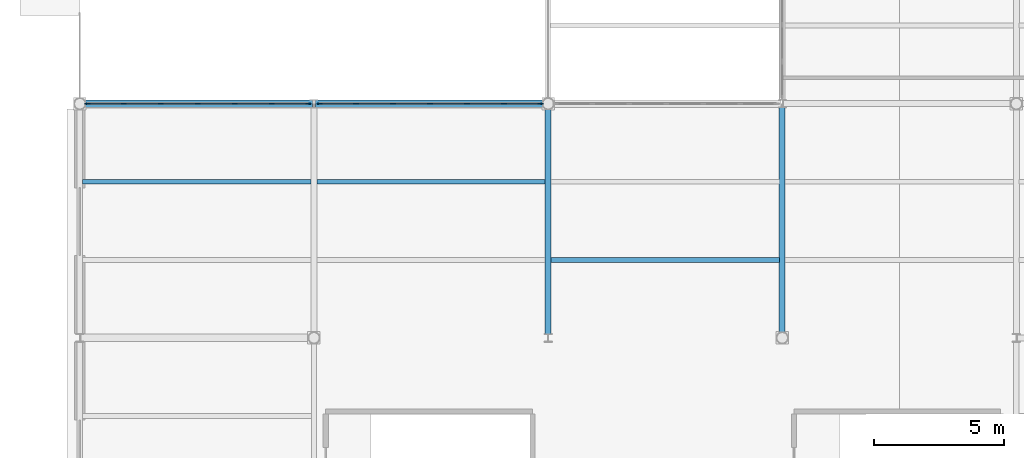
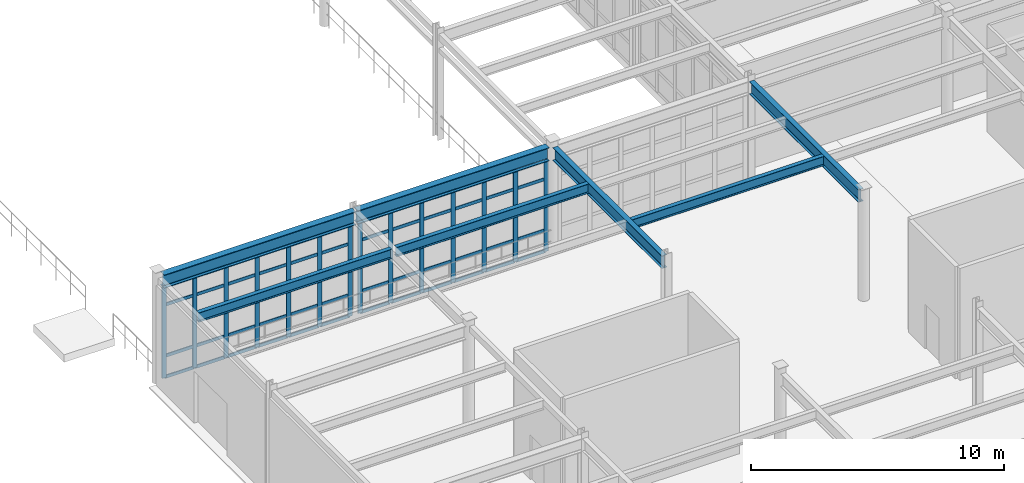
# One storey, part 25 of 79: 61 members, 7 beams, 2 elements without a shape of their own.
"""IFC4 building model written with IfcOpenShell, lengths in metres."""

from ifc_helpers import new_model, si_unit, direction, frame, origin, origin_2d, place, context, subcontext, project, spatial, rectangle, i_section, extrude, material, material_profile, profile_set, type_object, element, aggregate, save


model = new_model("IFC4")

# Units and contexts
model_context = context("Model", 3, precision=1e-05, world=origin(), true_north=direction((0.0, 1.0)))
body_context = subcontext(model_context, "Body", "Model", "MODEL_VIEW")
ifc_project = project(units=[si_unit("LENGTHUNIT", "METRE"), si_unit("AREAUNIT", "SQUARE_METRE"), si_unit("VOLUMEUNIT", "CUBIC_METRE"), si_unit("PLANEANGLEUNIT", "RADIAN"), si_unit("MASSUNIT", "GRAM", prefix="KILO")], contexts=[model_context])

# Site, building, storey
site_placement = place(None, origin())
site = spatial("IfcSite", under=ifc_project, at=site_placement, CompositionType="ELEMENT")
building_placement = place(site_placement, origin())
building = spatial("IfcBuilding", under=site, at=building_placement, Name="Glasvene Arena", CompositionType="ELEMENT")
storey_placement = place(building_placement, origin())
storey = spatial("IfcBuildingStorey", under=building, at=storey_placement, Name="L00", CompositionType="ELEMENT", Elevation=0.0)

# Beams
ifc_material_1 = material(Name="Steel S355J2", Category="steel")
ifc_material_profile_1 = material_profile(ifc_material_1, i_section(OverallWidth=0.300048828125, OverallDepth=0.64990234375, WebThickness=0.01611328125, FlangeThickness=0.031005859375, FilletRadius=0.027099609375, at=origin_2d()), Name="HEB 650")
ifc_profile_set_1 = profile_set([ifc_material_profile_1], Name="Steel S355J2")
beam_type_1 = type_object("IfcBeamType", Name="BM-FOYER-CANT", PredefinedType="BEAM", material=ifc_profile_set_1)
for number, where, z_axis, x_axis, name in (
    (1, (0.223388671875, 27.0, 4.794921875), (1.0, 0.0, 0.0), (0.0, 1.0, 0.0), "Primary X girder L00-0292"),
    (2, (9.050048828125, 27.0, 4.794921875), (1.0, 0.0, 0.0), (0.0, 1.0, 0.0), "Primary X girder L00-0293"),
):
    element("IfcBeam", number, at=place(storey_placement, frame(where, z_axis=z_axis, x_axis=x_axis)), inside=storey, type_object=beam_type_1, Name=name, PredefinedType="BEAM", context=body_context, shape_type="SweptSolid", body=[
        extrude(i_section(OverallWidth=0.300048828125, OverallDepth=0.64990234375, WebThickness=0.01611328125, FlangeThickness=0.031005859375, FilletRadius=0.027099609375, at=origin_2d()), origin(), (0.0, 0.0, 1.0), 8.7265625),
    ])
ifc_material_profile_2 = material_profile(ifc_material_1, i_section(OverallWidth=0.228271484375, OverallDepth=0.607666015625, WebThickness=0.010986328125, FlangeThickness=0.017333984375, FilletRadius=0.0126953125, at=origin_2d()), Name="UKB 610x229x113")
ifc_profile_set_2 = profile_set([ifc_material_profile_2], Name="Steel S355J2")
beam_type_2 = type_object("IfcBeamType", Name="BM-GIRD-610", PredefinedType="BEAM", material=ifc_profile_set_2)
for number, where, z_axis, x_axis, name in (
    (3, (18.0, 18.1552734375, 4.816162109375), (0.0, 1.0, 0.0), (-1.0, 0.0, 0.0), "Primary Y girder L00-0369"),
    (4, (27.0, 18.223388671875, 4.816162109375), (0.0, 1.0, 0.0), (-1.0, 0.0, 0.0), "Primary Y girder L00-0377"),
):
    element("IfcBeam", number, at=place(storey_placement, frame(where, z_axis=z_axis, x_axis=x_axis)), inside=storey, type_object=beam_type_2, Name=name, PredefinedType="BEAM", context=body_context, shape_type="SweptSolid", body=[
        extrude(i_section(OverallWidth=0.228271484375, OverallDepth=0.607666015625, WebThickness=0.010986328125, FlangeThickness=0.017333984375, FilletRadius=0.0126953125, at=origin_2d()), origin(), (0.0, 0.0, 1.0), 8.621337890625),
    ])
ifc_material_profile_3 = material_profile(ifc_material_1, i_section(OverallWidth=0.1904296875, OverallDepth=0.45703125, WebThickness=0.009033203125, FlangeThickness=0.014404296875, FilletRadius=0.01025390625, at=origin_2d()), Name="UKB 457x191x74")
ifc_profile_set_3 = profile_set([ifc_material_profile_3], Name="Steel S355J2")
beam_type_3 = type_object("IfcBeamType", Name="BM-JOIST-457", PredefinedType="JOIST", material=ifc_profile_set_3)
beam_placement = place(storey_placement, frame((0.095947265625, 24.0, 4.8916015625), z_axis=(1.0, 0.0, 0.0), x_axis=(0.0, 1.0, 0.0)))
element("IfcBeam", 5, at=beam_placement, inside=storey, type_object=beam_type_3, Name="Composite floor joist L00-0429", PredefinedType="JOIST", context=body_context, shape_type="SweptSolid", body=[
    extrude(i_section(OverallWidth=0.1904296875, OverallDepth=0.45703125, WebThickness=0.009033203125, FlangeThickness=0.014404296875, FilletRadius=0.01025390625, at=origin_2d()), origin(), (0.0, 0.0, 1.0), 8.7939453125),
])
for number, where, z_axis, x_axis, name in (
    (6, (9.110107421875, 24.0, 4.8916015625), (1.0, 0.0, 0.0), (0.0, 1.0, 0.0), "Composite floor joist L00-0439"),
    (7, (18.110107421875, 21.0, 4.8916015625), (1.0, 0.0, 0.0), (0.0, 1.0, 0.0), "Composite floor joist L00-0446"),
):
    element("IfcBeam", number, at=place(storey_placement, frame(where, z_axis=z_axis, x_axis=x_axis)), inside=storey, type_object=beam_type_3, Name=name, PredefinedType="JOIST", context=body_context, shape_type="SweptSolid", body=[
        extrude(i_section(OverallWidth=0.1904296875, OverallDepth=0.45703125, WebThickness=0.009033203125, FlangeThickness=0.014404296875, FilletRadius=0.01025390625, at=origin_2d()), origin(), (0.0, 0.0, 1.0), 8.77978515625),
    ])

# Curtain wall, members
ifc_material_2 = material(Name="Low-emissivity laminated double glazing", Category="glass")
curtain_wall_type = type_object("IfcCurtainWallType", Name="CW-FAC-L00-853x440", PredefinedType="USERDEFINED", material=ifc_material_2)
curtain_wall_1_placement = place(storey_placement, frame((0.2705078125, 27.0, 0.0)))
curtain_wall_1 = element("IfcCurtainWall", 8, at=curtain_wall_1_placement, inside=storey, type_object=curtain_wall_type, Name="Unitised curtain wall CW-F-L00-180-45-270-78", ObjectType="CURTAIN WALL", PredefinedType="USERDEFINED")
ifc_material_3 = material(Name="Anodised architectural aluminium", Category="aluminium")
ifc_material_profile_4 = material_profile(ifc_material_3, rectangle(XDim=0.050048828125, YDim=0.199951171875, at=origin_2d()), Name="ALU MULLION 50x200")
ifc_profile_set_4 = profile_set([ifc_material_profile_4], Name="Anodised architectural aluminium")
member_type_1 = type_object("IfcMemberType", Name="CW-MUL-180", PredefinedType="MULLION", material=ifc_profile_set_4)
member_1_placement = place(storey_placement, frame((0.29541015625, 27.0, 0.06005859375), z_axis=(0.0, 0.0, 1.0), x_axis=(0.0, 1.0, 0.0)))
member_1 = element("IfcMember", 9, at=member_1_placement, type_object=member_type_1, Name="CW-003 mullion 1", PredefinedType="MULLION", context=body_context, shape_type="SweptSolid", body=[
    extrude(rectangle(XDim=0.050048828125, YDim=0.199951171875, at=origin_2d()), origin(), (0.0, 0.0, 1.0), 4.405029296875),
])
member_2_placement = place(storey_placement, frame((1.692626953125, 27.0, 0.06005859375), z_axis=(0.0, 0.0, 1.0), x_axis=(0.0, 1.0, 0.0)))
member_2 = element("IfcMember", 10, at=member_2_placement, type_object=member_type_1, Name="CW-003 mullion 2", PredefinedType="MULLION", context=body_context, shape_type="SweptSolid", body=[
    extrude(rectangle(XDim=0.050048828125, YDim=0.199951171875, at=origin_2d()), origin(), (0.0, 0.0, 1.0), 4.405029296875),
])
member_3_placement = place(storey_placement, frame((3.11474609375, 27.0, 0.06005859375), z_axis=(0.0, 0.0, 1.0), x_axis=(0.0, 1.0, 0.0)))
member_3 = element("IfcMember", 11, at=member_3_placement, type_object=member_type_1, Name="CW-003 mullion 3", PredefinedType="MULLION", context=body_context, shape_type="SweptSolid", body=[
    extrude(rectangle(XDim=0.050048828125, YDim=0.199951171875, at=origin_2d()), origin(), (0.0, 0.0, 1.0), 4.405029296875),
])
member_4_placement = place(storey_placement, frame((4.536865234375, 27.0, 0.06005859375), z_axis=(0.0, 0.0, 1.0), x_axis=(0.0, 1.0, 0.0)))
member_4 = element("IfcMember", 12, at=member_4_placement, type_object=member_type_1, Name="CW-003 mullion 4", PredefinedType="MULLION", context=body_context, shape_type="SweptSolid", body=[
    extrude(rectangle(XDim=0.050048828125, YDim=0.199951171875, at=origin_2d()), origin(), (0.0, 0.0, 1.0), 4.405029296875),
])
member_5_placement = place(storey_placement, frame((5.958984375, 27.0, 0.06005859375), z_axis=(0.0, 0.0, 1.0), x_axis=(0.0, 1.0, 0.0)))
member_5 = element("IfcMember", 13, at=member_5_placement, type_object=member_type_1, Name="CW-003 mullion 5", PredefinedType="MULLION", context=body_context, shape_type="SweptSolid", body=[
    extrude(rectangle(XDim=0.050048828125, YDim=0.199951171875, at=origin_2d()), origin(), (0.0, 0.0, 1.0), 4.405029296875),
])
member_6_placement = place(storey_placement, frame((7.38134765625, 27.0, 0.06005859375), z_axis=(0.0, 0.0, 1.0), x_axis=(0.0, 1.0, 0.0)))
member_6 = element("IfcMember", 14, at=member_6_placement, type_object=member_type_1, Name="CW-003 mullion 6", PredefinedType="MULLION", context=body_context, shape_type="SweptSolid", body=[
    extrude(rectangle(XDim=0.050048828125, YDim=0.199951171875, at=origin_2d()), origin(), (0.0, 0.0, 1.0), 4.405029296875),
])
member_7_placement = place(storey_placement, frame((8.7783203125, 27.0, 0.06005859375), z_axis=(0.0, 0.0, 1.0), x_axis=(0.0, 1.0, 0.0)))
member_7 = element("IfcMember", 15, at=member_7_placement, type_object=member_type_1, Name="CW-003 mullion 7", PredefinedType="MULLION", context=body_context, shape_type="SweptSolid", body=[
    extrude(rectangle(XDim=0.050048828125, YDim=0.199951171875, at=origin_2d()), origin(), (0.0, 0.0, 1.0), 4.405029296875),
])

curtain_wall_2_placement = place(storey_placement, frame((9.196533203125, 27.0, 0.0)))
curtain_wall_2 = element("IfcCurtainWall", 16, at=curtain_wall_2_placement, inside=storey, type_object=curtain_wall_type, Name="Unitised curtain wall CW-F-L00-180-135-270-79", ObjectType="CURTAIN WALL", PredefinedType="USERDEFINED")
member_8_placement = place(storey_placement, frame((9.2216796875, 27.0, 0.06005859375), z_axis=(0.0, 0.0, 1.0), x_axis=(0.0, 1.0, 0.0)))
member_8 = element("IfcMember", 17, at=member_8_placement, type_object=member_type_1, Name="CW-003 mullion 1", PredefinedType="MULLION", context=body_context, shape_type="SweptSolid", body=[
    extrude(rectangle(XDim=0.050048828125, YDim=0.199951171875, at=origin_2d()), origin(), (0.0, 0.0, 1.0), 4.405029296875),
])
member_9_placement = place(storey_placement, frame((10.61865234375, 27.0, 0.06005859375), z_axis=(0.0, 0.0, 1.0), x_axis=(0.0, 1.0, 0.0)))
member_9 = element("IfcMember", 18, at=member_9_placement, type_object=member_type_1, Name="CW-003 mullion 2", PredefinedType="MULLION", context=body_context, shape_type="SweptSolid", body=[
    extrude(rectangle(XDim=0.050048828125, YDim=0.199951171875, at=origin_2d()), origin(), (0.0, 0.0, 1.0), 4.405029296875),
])
member_10_placement = place(storey_placement, frame((12.041015625, 27.0, 0.06005859375), z_axis=(0.0, 0.0, 1.0), x_axis=(0.0, 1.0, 0.0)))
member_10 = element("IfcMember", 19, at=member_10_placement, type_object=member_type_1, Name="CW-003 mullion 3", PredefinedType="MULLION", context=body_context, shape_type="SweptSolid", body=[
    extrude(rectangle(XDim=0.050048828125, YDim=0.199951171875, at=origin_2d()), origin(), (0.0, 0.0, 1.0), 4.405029296875),
])
member_11_placement = place(storey_placement, frame((13.463134765625, 27.0, 0.06005859375), z_axis=(0.0, 0.0, 1.0), x_axis=(0.0, 1.0, 0.0)))
member_11 = element("IfcMember", 20, at=member_11_placement, type_object=member_type_1, Name="CW-003 mullion 4", PredefinedType="MULLION", context=body_context, shape_type="SweptSolid", body=[
    extrude(rectangle(XDim=0.050048828125, YDim=0.199951171875, at=origin_2d()), origin(), (0.0, 0.0, 1.0), 4.405029296875),
])
member_12_placement = place(storey_placement, frame((14.88525390625, 27.0, 0.06005859375), z_axis=(0.0, 0.0, 1.0), x_axis=(0.0, 1.0, 0.0)))
member_12 = element("IfcMember", 21, at=member_12_placement, type_object=member_type_1, Name="CW-003 mullion 5", PredefinedType="MULLION", context=body_context, shape_type="SweptSolid", body=[
    extrude(rectangle(XDim=0.050048828125, YDim=0.199951171875, at=origin_2d()), origin(), (0.0, 0.0, 1.0), 4.405029296875),
])
member_13_placement = place(storey_placement, frame((16.307373046875, 27.0, 0.06005859375), z_axis=(0.0, 0.0, 1.0), x_axis=(0.0, 1.0, 0.0)))
member_13 = element("IfcMember", 22, at=member_13_placement, type_object=member_type_1, Name="CW-003 mullion 6", PredefinedType="MULLION", context=body_context, shape_type="SweptSolid", body=[
    extrude(rectangle(XDim=0.050048828125, YDim=0.199951171875, at=origin_2d()), origin(), (0.0, 0.0, 1.0), 4.405029296875),
])
member_14_placement = place(storey_placement, frame((17.70458984375, 27.0, 0.06005859375), z_axis=(0.0, 0.0, 1.0), x_axis=(0.0, 1.0, 0.0)))
member_14 = element("IfcMember", 23, at=member_14_placement, type_object=member_type_1, Name="CW-003 mullion 7", PredefinedType="MULLION", context=body_context, shape_type="SweptSolid", body=[
    extrude(rectangle(XDim=0.050048828125, YDim=0.199951171875, at=origin_2d()), origin(), (0.0, 0.0, 1.0), 4.405029296875),
])

# Member
ifc_material_profile_5 = material_profile(ifc_material_3, rectangle(XDim=0.050048828125, YDim=0.14990234375, at=origin_2d()), Name="ALU TRANSOM 50x150")
ifc_profile_set_5 = profile_set([ifc_material_profile_5], Name="Anodised architectural aluminium")
member_type_2 = type_object("IfcMemberType", Name="CW-TRN-150", PredefinedType="USERDEFINED", material=ifc_profile_set_5)
member_15_placement = place(storey_placement, frame((0.320556640625, 27.0, 0.0849609375), z_axis=(1.0, 0.0, 0.0), x_axis=(0.0, 1.0, 0.0)))
member_15 = element("IfcMember", 24, at=member_15_placement, type_object=member_type_2, Name="CW-003 transom 1.1", ObjectType="TRANSOM", PredefinedType="USERDEFINED", context=body_context, shape_type="SweptSolid", body=[
    extrude(rectangle(XDim=0.050048828125, YDim=0.14990234375, at=origin_2d()), origin(), (0.0, 0.0, 1.0), 1.34716796875),
])

member_16_placement = place(storey_placement, frame((0.320556640625, 27.0, 1.10009765625), z_axis=(1.0, 0.0, 0.0), x_axis=(0.0, 1.0, 0.0)))
member_16 = element("IfcMember", 25, at=member_16_placement, type_object=member_type_2, Name="CW-003 transom 1.2", ObjectType="TRANSOM", PredefinedType="USERDEFINED", context=body_context, shape_type="SweptSolid", body=[
    extrude(rectangle(XDim=0.050048828125, YDim=0.14990234375, at=origin_2d()), origin(), (0.0, 0.0, 1.0), 1.34716796875),
])

member_17_placement = place(storey_placement, frame((0.320556640625, 27.0, 3.56494140625), z_axis=(1.0, 0.0, 0.0), x_axis=(0.0, 1.0, 0.0)))
member_17 = element("IfcMember", 26, at=member_17_placement, type_object=member_type_2, Name="CW-003 transom 1.3", ObjectType="TRANSOM", PredefinedType="USERDEFINED", context=body_context, shape_type="SweptSolid", body=[
    extrude(rectangle(XDim=0.050048828125, YDim=0.14990234375, at=origin_2d()), origin(), (0.0, 0.0, 1.0), 1.34716796875),
])

member_18_placement = place(storey_placement, frame((0.320556640625, 27.0, 4.43994140625), z_axis=(1.0, 0.0, 0.0), x_axis=(0.0, 1.0, 0.0)))
member_18 = element("IfcMember", 27, at=member_18_placement, type_object=member_type_2, Name="CW-003 transom 1.4", ObjectType="TRANSOM", PredefinedType="USERDEFINED", context=body_context, shape_type="SweptSolid", body=[
    extrude(rectangle(XDim=0.050048828125, YDim=0.14990234375, at=origin_2d()), origin(), (0.0, 0.0, 1.0), 1.34716796875),
])

member_19_placement = place(storey_placement, frame((1.717529296875, 27.0, 0.0849609375), z_axis=(1.0, 0.0, 0.0), x_axis=(0.0, 1.0, 0.0)))
member_19 = element("IfcMember", 28, at=member_19_placement, type_object=member_type_2, Name="CW-003 transom 2.1", ObjectType="TRANSOM", PredefinedType="USERDEFINED", context=body_context, shape_type="SweptSolid", body=[
    extrude(rectangle(XDim=0.050048828125, YDim=0.14990234375, at=origin_2d()), origin(), (0.0, 0.0, 1.0), 1.372314453125),
])

member_20_placement = place(storey_placement, frame((1.717529296875, 27.0, 1.10009765625), z_axis=(1.0, 0.0, 0.0), x_axis=(0.0, 1.0, 0.0)))
member_20 = element("IfcMember", 29, at=member_20_placement, type_object=member_type_2, Name="CW-003 transom 2.2", ObjectType="TRANSOM", PredefinedType="USERDEFINED", context=body_context, shape_type="SweptSolid", body=[
    extrude(rectangle(XDim=0.050048828125, YDim=0.14990234375, at=origin_2d()), origin(), (0.0, 0.0, 1.0), 1.372314453125),
])

member_21_placement = place(storey_placement, frame((1.717529296875, 27.0, 3.56494140625), z_axis=(1.0, 0.0, 0.0), x_axis=(0.0, 1.0, 0.0)))
member_21 = element("IfcMember", 30, at=member_21_placement, type_object=member_type_2, Name="CW-003 transom 2.3", ObjectType="TRANSOM", PredefinedType="USERDEFINED", context=body_context, shape_type="SweptSolid", body=[
    extrude(rectangle(XDim=0.050048828125, YDim=0.14990234375, at=origin_2d()), origin(), (0.0, 0.0, 1.0), 1.372314453125),
])

member_22_placement = place(storey_placement, frame((1.717529296875, 27.0, 4.43994140625), z_axis=(1.0, 0.0, 0.0), x_axis=(0.0, 1.0, 0.0)))
member_22 = element("IfcMember", 31, at=member_22_placement, type_object=member_type_2, Name="CW-003 transom 2.4", ObjectType="TRANSOM", PredefinedType="USERDEFINED", context=body_context, shape_type="SweptSolid", body=[
    extrude(rectangle(XDim=0.050048828125, YDim=0.14990234375, at=origin_2d()), origin(), (0.0, 0.0, 1.0), 1.372314453125),
])

member_23_placement = place(storey_placement, frame((3.139892578125, 27.0, 0.0849609375), z_axis=(1.0, 0.0, 0.0), x_axis=(0.0, 1.0, 0.0)))
member_23 = element("IfcMember", 32, at=member_23_placement, type_object=member_type_2, Name="CW-003 transom 3.1", ObjectType="TRANSOM", PredefinedType="USERDEFINED", context=body_context, shape_type="SweptSolid", body=[
    extrude(rectangle(XDim=0.050048828125, YDim=0.14990234375, at=origin_2d()), origin(), (0.0, 0.0, 1.0), 1.3720703125),
])

member_24_placement = place(storey_placement, frame((3.139892578125, 27.0, 1.10009765625), z_axis=(1.0, 0.0, 0.0), x_axis=(0.0, 1.0, 0.0)))
member_24 = element("IfcMember", 33, at=member_24_placement, type_object=member_type_2, Name="CW-003 transom 3.2", ObjectType="TRANSOM", PredefinedType="USERDEFINED", context=body_context, shape_type="SweptSolid", body=[
    extrude(rectangle(XDim=0.050048828125, YDim=0.14990234375, at=origin_2d()), origin(), (0.0, 0.0, 1.0), 1.3720703125),
])

member_25_placement = place(storey_placement, frame((3.139892578125, 27.0, 3.56494140625), z_axis=(1.0, 0.0, 0.0), x_axis=(0.0, 1.0, 0.0)))
member_25 = element("IfcMember", 34, at=member_25_placement, type_object=member_type_2, Name="CW-003 transom 3.3", ObjectType="TRANSOM", PredefinedType="USERDEFINED", context=body_context, shape_type="SweptSolid", body=[
    extrude(rectangle(XDim=0.050048828125, YDim=0.14990234375, at=origin_2d()), origin(), (0.0, 0.0, 1.0), 1.3720703125),
])

member_26_placement = place(storey_placement, frame((3.139892578125, 27.0, 4.43994140625), z_axis=(1.0, 0.0, 0.0), x_axis=(0.0, 1.0, 0.0)))
member_26 = element("IfcMember", 35, at=member_26_placement, type_object=member_type_2, Name="CW-003 transom 3.4", ObjectType="TRANSOM", PredefinedType="USERDEFINED", context=body_context, shape_type="SweptSolid", body=[
    extrude(rectangle(XDim=0.050048828125, YDim=0.14990234375, at=origin_2d()), origin(), (0.0, 0.0, 1.0), 1.3720703125),
])

member_27_placement = place(storey_placement, frame((4.56201171875, 27.0, 0.0849609375), z_axis=(1.0, 0.0, 0.0), x_axis=(0.0, 1.0, 0.0)))
member_27 = element("IfcMember", 36, at=member_27_placement, type_object=member_type_2, Name="CW-003 transom 4.1", ObjectType="TRANSOM", PredefinedType="USERDEFINED", context=body_context, shape_type="SweptSolid", body=[
    extrude(rectangle(XDim=0.050048828125, YDim=0.14990234375, at=origin_2d()), origin(), (0.0, 0.0, 1.0), 1.3720703125),
])

member_28_placement = place(storey_placement, frame((4.56201171875, 27.0, 1.10009765625), z_axis=(1.0, 0.0, 0.0), x_axis=(0.0, 1.0, 0.0)))
member_28 = element("IfcMember", 37, at=member_28_placement, type_object=member_type_2, Name="CW-003 transom 4.2", ObjectType="TRANSOM", PredefinedType="USERDEFINED", context=body_context, shape_type="SweptSolid", body=[
    extrude(rectangle(XDim=0.050048828125, YDim=0.14990234375, at=origin_2d()), origin(), (0.0, 0.0, 1.0), 1.3720703125),
])

member_29_placement = place(storey_placement, frame((4.56201171875, 27.0, 3.56494140625), z_axis=(1.0, 0.0, 0.0), x_axis=(0.0, 1.0, 0.0)))
member_29 = element("IfcMember", 38, at=member_29_placement, type_object=member_type_2, Name="CW-003 transom 4.3", ObjectType="TRANSOM", PredefinedType="USERDEFINED", context=body_context, shape_type="SweptSolid", body=[
    extrude(rectangle(XDim=0.050048828125, YDim=0.14990234375, at=origin_2d()), origin(), (0.0, 0.0, 1.0), 1.3720703125),
])

member_30_placement = place(storey_placement, frame((4.56201171875, 27.0, 4.43994140625), z_axis=(1.0, 0.0, 0.0), x_axis=(0.0, 1.0, 0.0)))
member_30 = element("IfcMember", 39, at=member_30_placement, type_object=member_type_2, Name="CW-003 transom 4.4", ObjectType="TRANSOM", PredefinedType="USERDEFINED", context=body_context, shape_type="SweptSolid", body=[
    extrude(rectangle(XDim=0.050048828125, YDim=0.14990234375, at=origin_2d()), origin(), (0.0, 0.0, 1.0), 1.3720703125),
])

member_31_placement = place(storey_placement, frame((5.984130859375, 27.0, 0.0849609375), z_axis=(1.0, 0.0, 0.0), x_axis=(0.0, 1.0, 0.0)))
member_31 = element("IfcMember", 40, at=member_31_placement, type_object=member_type_2, Name="CW-003 transom 5.1", ObjectType="TRANSOM", PredefinedType="USERDEFINED", context=body_context, shape_type="SweptSolid", body=[
    extrude(rectangle(XDim=0.050048828125, YDim=0.14990234375, at=origin_2d()), origin(), (0.0, 0.0, 1.0), 1.3720703125),
])

member_32_placement = place(storey_placement, frame((5.984130859375, 27.0, 1.10009765625), z_axis=(1.0, 0.0, 0.0), x_axis=(0.0, 1.0, 0.0)))
member_32 = element("IfcMember", 41, at=member_32_placement, type_object=member_type_2, Name="CW-003 transom 5.2", ObjectType="TRANSOM", PredefinedType="USERDEFINED", context=body_context, shape_type="SweptSolid", body=[
    extrude(rectangle(XDim=0.050048828125, YDim=0.14990234375, at=origin_2d()), origin(), (0.0, 0.0, 1.0), 1.3720703125),
])

member_33_placement = place(storey_placement, frame((5.984130859375, 27.0, 3.56494140625), z_axis=(1.0, 0.0, 0.0), x_axis=(0.0, 1.0, 0.0)))
member_33 = element("IfcMember", 42, at=member_33_placement, type_object=member_type_2, Name="CW-003 transom 5.3", ObjectType="TRANSOM", PredefinedType="USERDEFINED", context=body_context, shape_type="SweptSolid", body=[
    extrude(rectangle(XDim=0.050048828125, YDim=0.14990234375, at=origin_2d()), origin(), (0.0, 0.0, 1.0), 1.3720703125),
])

member_34_placement = place(storey_placement, frame((5.984130859375, 27.0, 4.43994140625), z_axis=(1.0, 0.0, 0.0), x_axis=(0.0, 1.0, 0.0)))
member_34 = element("IfcMember", 43, at=member_34_placement, type_object=member_type_2, Name="CW-003 transom 5.4", ObjectType="TRANSOM", PredefinedType="USERDEFINED", context=body_context, shape_type="SweptSolid", body=[
    extrude(rectangle(XDim=0.050048828125, YDim=0.14990234375, at=origin_2d()), origin(), (0.0, 0.0, 1.0), 1.3720703125),
])

member_35_placement = place(storey_placement, frame((7.40625, 27.0, 0.0849609375), z_axis=(1.0, 0.0, 0.0), x_axis=(0.0, 1.0, 0.0)))
member_35 = element("IfcMember", 44, at=member_35_placement, type_object=member_type_2, Name="CW-003 transom 6.1", ObjectType="TRANSOM", PredefinedType="USERDEFINED", context=body_context, shape_type="SweptSolid", body=[
    extrude(rectangle(XDim=0.050048828125, YDim=0.14990234375, at=origin_2d()), origin(), (0.0, 0.0, 1.0), 1.34716796875),
])

member_36_placement = place(storey_placement, frame((7.40625, 27.0, 1.10009765625), z_axis=(1.0, 0.0, 0.0), x_axis=(0.0, 1.0, 0.0)))
member_36 = element("IfcMember", 45, at=member_36_placement, type_object=member_type_2, Name="CW-003 transom 6.2", ObjectType="TRANSOM", PredefinedType="USERDEFINED", context=body_context, shape_type="SweptSolid", body=[
    extrude(rectangle(XDim=0.050048828125, YDim=0.14990234375, at=origin_2d()), origin(), (0.0, 0.0, 1.0), 1.34716796875),
])

member_37_placement = place(storey_placement, frame((7.40625, 27.0, 3.56494140625), z_axis=(1.0, 0.0, 0.0), x_axis=(0.0, 1.0, 0.0)))
member_37 = element("IfcMember", 46, at=member_37_placement, type_object=member_type_2, Name="CW-003 transom 6.3", ObjectType="TRANSOM", PredefinedType="USERDEFINED", context=body_context, shape_type="SweptSolid", body=[
    extrude(rectangle(XDim=0.050048828125, YDim=0.14990234375, at=origin_2d()), origin(), (0.0, 0.0, 1.0), 1.34716796875),
])

member_38_placement = place(storey_placement, frame((7.40625, 27.0, 4.43994140625), z_axis=(1.0, 0.0, 0.0), x_axis=(0.0, 1.0, 0.0)))
member_38 = element("IfcMember", 47, at=member_38_placement, type_object=member_type_2, Name="CW-003 transom 6.4", ObjectType="TRANSOM", PredefinedType="USERDEFINED", context=body_context, shape_type="SweptSolid", body=[
    extrude(rectangle(XDim=0.050048828125, YDim=0.14990234375, at=origin_2d()), origin(), (0.0, 0.0, 1.0), 1.34716796875),
])

aggregate(curtain_wall_1, [member_1, member_2, member_3, member_4, member_5, member_6, member_7, member_15, member_16, member_17, member_18, member_19, member_20, member_21, member_22, member_23, member_24, member_25, member_26, member_27, member_28, member_29, member_30, member_31, member_32, member_33, member_34, member_35, member_36, member_37, member_38])

member_39_placement = place(storey_placement, frame((9.24658203125, 27.0, 0.0849609375), z_axis=(1.0, 0.0, 0.0), x_axis=(0.0, 1.0, 0.0)))
member_39 = element("IfcMember", 48, at=member_39_placement, type_object=member_type_2, Name="CW-003 transom 1.1", ObjectType="TRANSOM", PredefinedType="USERDEFINED", context=body_context, shape_type="SweptSolid", body=[
    extrude(rectangle(XDim=0.050048828125, YDim=0.14990234375, at=origin_2d()), origin(), (0.0, 0.0, 1.0), 1.34716796875),
])

member_40_placement = place(storey_placement, frame((9.24658203125, 27.0, 1.10009765625), z_axis=(1.0, 0.0, 0.0), x_axis=(0.0, 1.0, 0.0)))
member_40 = element("IfcMember", 49, at=member_40_placement, type_object=member_type_2, Name="CW-003 transom 1.2", ObjectType="TRANSOM", PredefinedType="USERDEFINED", context=body_context, shape_type="SweptSolid", body=[
    extrude(rectangle(XDim=0.050048828125, YDim=0.14990234375, at=origin_2d()), origin(), (0.0, 0.0, 1.0), 1.34716796875),
])

member_41_placement = place(storey_placement, frame((9.24658203125, 27.0, 3.56494140625), z_axis=(1.0, 0.0, 0.0), x_axis=(0.0, 1.0, 0.0)))
member_41 = element("IfcMember", 50, at=member_41_placement, type_object=member_type_2, Name="CW-003 transom 1.3", ObjectType="TRANSOM", PredefinedType="USERDEFINED", context=body_context, shape_type="SweptSolid", body=[
    extrude(rectangle(XDim=0.050048828125, YDim=0.14990234375, at=origin_2d()), origin(), (0.0, 0.0, 1.0), 1.34716796875),
])

member_42_placement = place(storey_placement, frame((9.24658203125, 27.0, 4.43994140625), z_axis=(1.0, 0.0, 0.0), x_axis=(0.0, 1.0, 0.0)))
member_42 = element("IfcMember", 51, at=member_42_placement, type_object=member_type_2, Name="CW-003 transom 1.4", ObjectType="TRANSOM", PredefinedType="USERDEFINED", context=body_context, shape_type="SweptSolid", body=[
    extrude(rectangle(XDim=0.050048828125, YDim=0.14990234375, at=origin_2d()), origin(), (0.0, 0.0, 1.0), 1.34716796875),
])

member_43_placement = place(storey_placement, frame((10.643798828125, 27.0, 0.0849609375), z_axis=(1.0, 0.0, 0.0), x_axis=(0.0, 1.0, 0.0)))
member_43 = element("IfcMember", 52, at=member_43_placement, type_object=member_type_2, Name="CW-003 transom 2.1", ObjectType="TRANSOM", PredefinedType="USERDEFINED", context=body_context, shape_type="SweptSolid", body=[
    extrude(rectangle(XDim=0.050048828125, YDim=0.14990234375, at=origin_2d()), origin(), (0.0, 0.0, 1.0), 1.3720703125),
])

member_44_placement = place(storey_placement, frame((10.643798828125, 27.0, 1.10009765625), z_axis=(1.0, 0.0, 0.0), x_axis=(0.0, 1.0, 0.0)))
member_44 = element("IfcMember", 53, at=member_44_placement, type_object=member_type_2, Name="CW-003 transom 2.2", ObjectType="TRANSOM", PredefinedType="USERDEFINED", context=body_context, shape_type="SweptSolid", body=[
    extrude(rectangle(XDim=0.050048828125, YDim=0.14990234375, at=origin_2d()), origin(), (0.0, 0.0, 1.0), 1.3720703125),
])

member_45_placement = place(storey_placement, frame((10.643798828125, 27.0, 3.56494140625), z_axis=(1.0, 0.0, 0.0), x_axis=(0.0, 1.0, 0.0)))
member_45 = element("IfcMember", 54, at=member_45_placement, type_object=member_type_2, Name="CW-003 transom 2.3", ObjectType="TRANSOM", PredefinedType="USERDEFINED", context=body_context, shape_type="SweptSolid", body=[
    extrude(rectangle(XDim=0.050048828125, YDim=0.14990234375, at=origin_2d()), origin(), (0.0, 0.0, 1.0), 1.3720703125),
])

member_46_placement = place(storey_placement, frame((10.643798828125, 27.0, 4.43994140625), z_axis=(1.0, 0.0, 0.0), x_axis=(0.0, 1.0, 0.0)))
member_46 = element("IfcMember", 55, at=member_46_placement, type_object=member_type_2, Name="CW-003 transom 2.4", ObjectType="TRANSOM", PredefinedType="USERDEFINED", context=body_context, shape_type="SweptSolid", body=[
    extrude(rectangle(XDim=0.050048828125, YDim=0.14990234375, at=origin_2d()), origin(), (0.0, 0.0, 1.0), 1.3720703125),
])

member_47_placement = place(storey_placement, frame((12.06591796875, 27.0, 0.0849609375), z_axis=(1.0, 0.0, 0.0), x_axis=(0.0, 1.0, 0.0)))
member_47 = element("IfcMember", 56, at=member_47_placement, type_object=member_type_2, Name="CW-003 transom 3.1", ObjectType="TRANSOM", PredefinedType="USERDEFINED", context=body_context, shape_type="SweptSolid", body=[
    extrude(rectangle(XDim=0.050048828125, YDim=0.14990234375, at=origin_2d()), origin(), (0.0, 0.0, 1.0), 1.3720703125),
])

member_48_placement = place(storey_placement, frame((12.06591796875, 27.0, 1.10009765625), z_axis=(1.0, 0.0, 0.0), x_axis=(0.0, 1.0, 0.0)))
member_48 = element("IfcMember", 57, at=member_48_placement, type_object=member_type_2, Name="CW-003 transom 3.2", ObjectType="TRANSOM", PredefinedType="USERDEFINED", context=body_context, shape_type="SweptSolid", body=[
    extrude(rectangle(XDim=0.050048828125, YDim=0.14990234375, at=origin_2d()), origin(), (0.0, 0.0, 1.0), 1.3720703125),
])

member_49_placement = place(storey_placement, frame((12.06591796875, 27.0, 3.56494140625), z_axis=(1.0, 0.0, 0.0), x_axis=(0.0, 1.0, 0.0)))
member_49 = element("IfcMember", 58, at=member_49_placement, type_object=member_type_2, Name="CW-003 transom 3.3", ObjectType="TRANSOM", PredefinedType="USERDEFINED", context=body_context, shape_type="SweptSolid", body=[
    extrude(rectangle(XDim=0.050048828125, YDim=0.14990234375, at=origin_2d()), origin(), (0.0, 0.0, 1.0), 1.3720703125),
])

member_50_placement = place(storey_placement, frame((12.06591796875, 27.0, 4.43994140625), z_axis=(1.0, 0.0, 0.0), x_axis=(0.0, 1.0, 0.0)))
member_50 = element("IfcMember", 59, at=member_50_placement, type_object=member_type_2, Name="CW-003 transom 3.4", ObjectType="TRANSOM", PredefinedType="USERDEFINED", context=body_context, shape_type="SweptSolid", body=[
    extrude(rectangle(XDim=0.050048828125, YDim=0.14990234375, at=origin_2d()), origin(), (0.0, 0.0, 1.0), 1.3720703125),
])

member_51_placement = place(storey_placement, frame((13.488037109375, 27.0, 0.0849609375), z_axis=(1.0, 0.0, 0.0), x_axis=(0.0, 1.0, 0.0)))
member_51 = element("IfcMember", 60, at=member_51_placement, type_object=member_type_2, Name="CW-003 transom 4.1", ObjectType="TRANSOM", PredefinedType="USERDEFINED", context=body_context, shape_type="SweptSolid", body=[
    extrude(rectangle(XDim=0.050048828125, YDim=0.14990234375, at=origin_2d()), origin(), (0.0, 0.0, 1.0), 1.3720703125),
])

member_52_placement = place(storey_placement, frame((13.488037109375, 27.0, 1.10009765625), z_axis=(1.0, 0.0, 0.0), x_axis=(0.0, 1.0, 0.0)))
member_52 = element("IfcMember", 61, at=member_52_placement, type_object=member_type_2, Name="CW-003 transom 4.2", ObjectType="TRANSOM", PredefinedType="USERDEFINED", context=body_context, shape_type="SweptSolid", body=[
    extrude(rectangle(XDim=0.050048828125, YDim=0.14990234375, at=origin_2d()), origin(), (0.0, 0.0, 1.0), 1.3720703125),
])

member_53_placement = place(storey_placement, frame((13.488037109375, 27.0, 3.56494140625), z_axis=(1.0, 0.0, 0.0), x_axis=(0.0, 1.0, 0.0)))
member_53 = element("IfcMember", 62, at=member_53_placement, type_object=member_type_2, Name="CW-003 transom 4.3", ObjectType="TRANSOM", PredefinedType="USERDEFINED", context=body_context, shape_type="SweptSolid", body=[
    extrude(rectangle(XDim=0.050048828125, YDim=0.14990234375, at=origin_2d()), origin(), (0.0, 0.0, 1.0), 1.3720703125),
])

member_54_placement = place(storey_placement, frame((13.488037109375, 27.0, 4.43994140625), z_axis=(1.0, 0.0, 0.0), x_axis=(0.0, 1.0, 0.0)))
member_54 = element("IfcMember", 63, at=member_54_placement, type_object=member_type_2, Name="CW-003 transom 4.4", ObjectType="TRANSOM", PredefinedType="USERDEFINED", context=body_context, shape_type="SweptSolid", body=[
    extrude(rectangle(XDim=0.050048828125, YDim=0.14990234375, at=origin_2d()), origin(), (0.0, 0.0, 1.0), 1.3720703125),
])

member_55_placement = place(storey_placement, frame((14.91015625, 27.0, 0.0849609375), z_axis=(1.0, 0.0, 0.0), x_axis=(0.0, 1.0, 0.0)))
member_55 = element("IfcMember", 64, at=member_55_placement, type_object=member_type_2, Name="CW-003 transom 5.1", ObjectType="TRANSOM", PredefinedType="USERDEFINED", context=body_context, shape_type="SweptSolid", body=[
    extrude(rectangle(XDim=0.050048828125, YDim=0.14990234375, at=origin_2d()), origin(), (0.0, 0.0, 1.0), 1.372314453125),
])

member_56_placement = place(storey_placement, frame((14.91015625, 27.0, 1.10009765625), z_axis=(1.0, 0.0, 0.0), x_axis=(0.0, 1.0, 0.0)))
member_56 = element("IfcMember", 65, at=member_56_placement, type_object=member_type_2, Name="CW-003 transom 5.2", ObjectType="TRANSOM", PredefinedType="USERDEFINED", context=body_context, shape_type="SweptSolid", body=[
    extrude(rectangle(XDim=0.050048828125, YDim=0.14990234375, at=origin_2d()), origin(), (0.0, 0.0, 1.0), 1.372314453125),
])

member_57_placement = place(storey_placement, frame((14.91015625, 27.0, 3.56494140625), z_axis=(1.0, 0.0, 0.0), x_axis=(0.0, 1.0, 0.0)))
member_57 = element("IfcMember", 66, at=member_57_placement, type_object=member_type_2, Name="CW-003 transom 5.3", ObjectType="TRANSOM", PredefinedType="USERDEFINED", context=body_context, shape_type="SweptSolid", body=[
    extrude(rectangle(XDim=0.050048828125, YDim=0.14990234375, at=origin_2d()), origin(), (0.0, 0.0, 1.0), 1.372314453125),
])

member_58_placement = place(storey_placement, frame((14.91015625, 27.0, 4.43994140625), z_axis=(1.0, 0.0, 0.0), x_axis=(0.0, 1.0, 0.0)))
member_58 = element("IfcMember", 67, at=member_58_placement, type_object=member_type_2, Name="CW-003 transom 5.4", ObjectType="TRANSOM", PredefinedType="USERDEFINED", context=body_context, shape_type="SweptSolid", body=[
    extrude(rectangle(XDim=0.050048828125, YDim=0.14990234375, at=origin_2d()), origin(), (0.0, 0.0, 1.0), 1.372314453125),
])

member_59_placement = place(storey_placement, frame((16.332275390625, 27.0, 0.0849609375), z_axis=(1.0, 0.0, 0.0), x_axis=(0.0, 1.0, 0.0)))
member_59 = element("IfcMember", 68, at=member_59_placement, type_object=member_type_2, Name="CW-003 transom 6.1", ObjectType="TRANSOM", PredefinedType="USERDEFINED", context=body_context, shape_type="SweptSolid", body=[
    extrude(rectangle(XDim=0.050048828125, YDim=0.14990234375, at=origin_2d()), origin(), (0.0, 0.0, 1.0), 1.34716796875),
])

member_60_placement = place(storey_placement, frame((16.332275390625, 27.0, 1.10009765625), z_axis=(1.0, 0.0, 0.0), x_axis=(0.0, 1.0, 0.0)))
member_60 = element("IfcMember", 69, at=member_60_placement, type_object=member_type_2, Name="CW-003 transom 6.2", ObjectType="TRANSOM", PredefinedType="USERDEFINED", context=body_context, shape_type="SweptSolid", body=[
    extrude(rectangle(XDim=0.050048828125, YDim=0.14990234375, at=origin_2d()), origin(), (0.0, 0.0, 1.0), 1.34716796875),
])

member_61_placement = place(storey_placement, frame((16.332275390625, 27.0, 3.56494140625), z_axis=(1.0, 0.0, 0.0), x_axis=(0.0, 1.0, 0.0)))
member_61 = element("IfcMember", 70, at=member_61_placement, type_object=member_type_2, Name="CW-003 transom 6.3", ObjectType="TRANSOM", PredefinedType="USERDEFINED", context=body_context, shape_type="SweptSolid", body=[
    extrude(rectangle(XDim=0.050048828125, YDim=0.14990234375, at=origin_2d()), origin(), (0.0, 0.0, 1.0), 1.34716796875),
])

aggregate(curtain_wall_2, [member_8, member_9, member_10, member_11, member_12, member_13, member_14, member_39, member_40, member_41, member_42, member_43, member_44, member_45, member_46, member_47, member_48, member_49, member_50, member_51, member_52, member_53, member_54, member_55, member_56, member_57, member_58, member_59, member_60, member_61])

save(model, "model.ifc")
